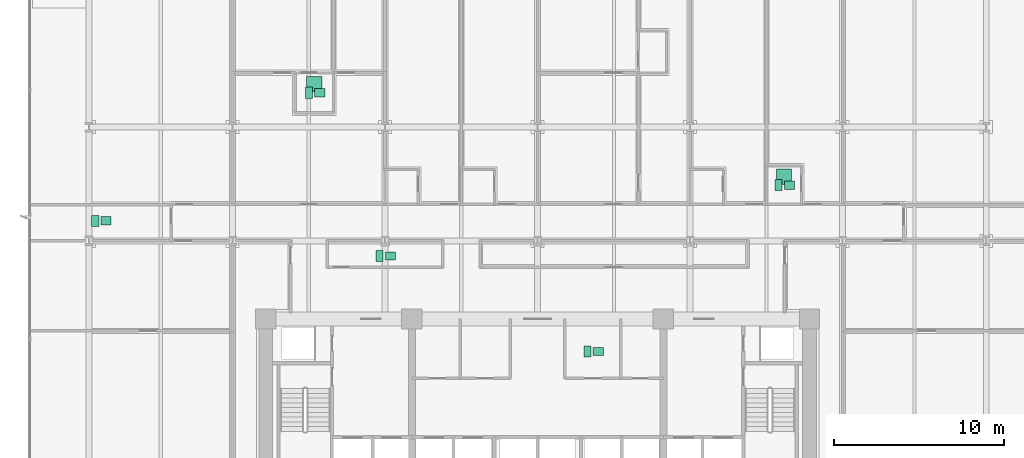
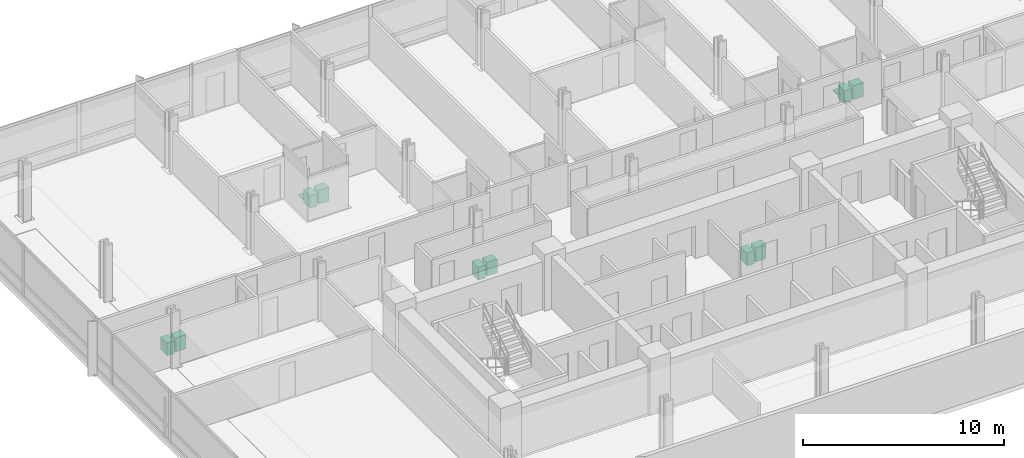
# One storey, part 15 of 15: 12 sanitary terminals.
"""IFC4 building model written with IfcOpenShell, lengths in metres."""

from ifc_helpers import new_model, si_unit, direction, frame, origin, origin_2d, place, context, subcontext, project, spatial, rectangle, extrude, material, type_object, element, save


model = new_model("IFC4")

# Units and contexts
model_context = context("Model", 3, precision=1e-05, world=origin(), true_north=direction((0.0, 1.0)))
body_context = subcontext(model_context, "Body", "Model", "MODEL_VIEW")
ifc_project = project(units=[si_unit("LENGTHUNIT", "METRE"), si_unit("AREAUNIT", "SQUARE_METRE"), si_unit("VOLUMEUNIT", "CUBIC_METRE"), si_unit("PLANEANGLEUNIT", "RADIAN"), si_unit("MASSUNIT", "GRAM", prefix="KILO")], contexts=[model_context])

# Site, building, storey
site_placement = place(None, origin())
site = spatial("IfcSite", under=ifc_project, at=site_placement, CompositionType="ELEMENT")
building_placement = place(site_placement, origin())
building = spatial("IfcBuilding", under=site, at=building_placement, Name="Solmavex Isthmus Hotel", CompositionType="ELEMENT")
storey_placement = place(building_placement, frame((0.0, 0.0, 64.35009765625)))
storey = spatial("IfcBuildingStorey", under=building, at=storey_placement, Name="L17", CompositionType="ELEMENT", Elevation=64.35009765625)

# Sanitary terminals
ifc_material = material(Name="Vitreous china ceramic", Category="ceramic")
sanitary_terminal_type_1 = type_object("IfcSanitaryTerminalType", Name="SAN-BASIN", PredefinedType="WASHHANDBASIN", material=ifc_material)
for number, where, z_axis, x_axis, name in (
    (1, (3.570068359375, -4.409912109375, -0.000244140625), (0.0, 0.0, 1.0), (1.0, 0.0, 0.0), "Vanity Washbasin L17-78"),
    (2, (-12.819091796875, 10.81298828125, -0.000244140625), (0.0, 0.0, 1.0), (1.0, 0.0, 0.0), "Vanity Washbasin L17-79"),
    (3, (14.816162109375, 5.375, -0.000244140625), (0.0, 0.0, 1.0), (1.0, 0.0, 0.0), "Vanity Washbasin L17-80"),
    (4, (-8.666015625, 1.21240234375, -0.000244140625), (0.0, 0.0, 1.0), (1.0, 0.0, 0.0), "Vanity Washbasin L17-81"),
    (5, (-25.39599609375, 3.277587890625, -0.000244140625), (0.0, 0.0, 1.0), (1.0, 0.0, 0.0), "Vanity Washbasin L17-82"),
):
    element("IfcSanitaryTerminal", number, at=place(storey_placement, frame(where, z_axis=z_axis, x_axis=x_axis)), inside=storey, type_object=sanitary_terminal_type_1, Name=name, PredefinedType="WASHHANDBASIN", context=body_context, shape_type="SweptSolid", body=[
        extrude(rectangle(XDim=0.60009765625, YDim=0.47998046875, at=origin_2d()), origin(), (0.0, 0.0, 1.0), 0.85009765625),
    ])
sanitary_terminal_type_2 = type_object("IfcSanitaryTerminalType", Name="SAN-SHOWER", PredefinedType="SHOWER", material=ifc_material)
for number, where, z_axis, x_axis, name in (
    (6, (-13.138916015625, 11.31298828125, -0.000244140625), (0.0, 0.0, 1.0), (1.0, 0.0, 0.0), "Walk-In Shower L17-79"),
    (7, (14.49609375, 5.875, -0.000244140625), (0.0, 0.0, 1.0), (1.0, 0.0, 0.0), "Walk-In Shower L17-80"),
):
    element("IfcSanitaryTerminal", number, at=place(storey_placement, frame(where, z_axis=z_axis, x_axis=x_axis)), inside=storey, type_object=sanitary_terminal_type_2, Name=name, PredefinedType="SHOWER", context=body_context, shape_type="SweptSolid", body=[
        extrude(rectangle(XDim=0.89990234375, YDim=0.89990234375, at=origin_2d()), origin(), (0.0, 0.0, 1.0), 0.080078125),
    ])
sanitary_terminal_type_3 = type_object("IfcSanitaryTerminalType", Name="SAN-WC-SUITE", PredefinedType="TOILETPAN", material=ifc_material)
for number, where, z_axis, x_axis, name in (
    (8, (2.929931640625, -4.409912109375, 0.0), (0.0, 0.0, 1.0), (1.0, 0.0, 0.0), "Water Closet L17-78"),
    (9, (-13.458984375, 10.81298828125, 0.0), (0.0, 0.0, 1.0), (1.0, 0.0, 0.0), "Water Closet L17-79"),
    (10, (14.17626953125, 5.375, 0.0), (0.0, 0.0, 1.0), (1.0, 0.0, 0.0), "Water Closet L17-80"),
    (11, (-9.305908203125, 1.21240234375, 0.0), (0.0, 0.0, 1.0), (1.0, 0.0, 0.0), "Water Closet L17-81"),
    (12, (-26.035888671875, 3.277587890625, 0.0), (0.0, 0.0, 1.0), (1.0, 0.0, 0.0), "Water Closet L17-82"),
):
    element("IfcSanitaryTerminal", number, at=place(storey_placement, frame(where, z_axis=z_axis, x_axis=x_axis)), inside=storey, type_object=sanitary_terminal_type_3, Name=name, PredefinedType="TOILETPAN", context=body_context, shape_type="SweptSolid", body=[
        extrude(rectangle(XDim=0.419921875, YDim=0.64990234375, at=origin_2d()), origin(), (0.0, 0.0, 1.0), 0.780029296875),
    ])

save(model, "model.ifc")
